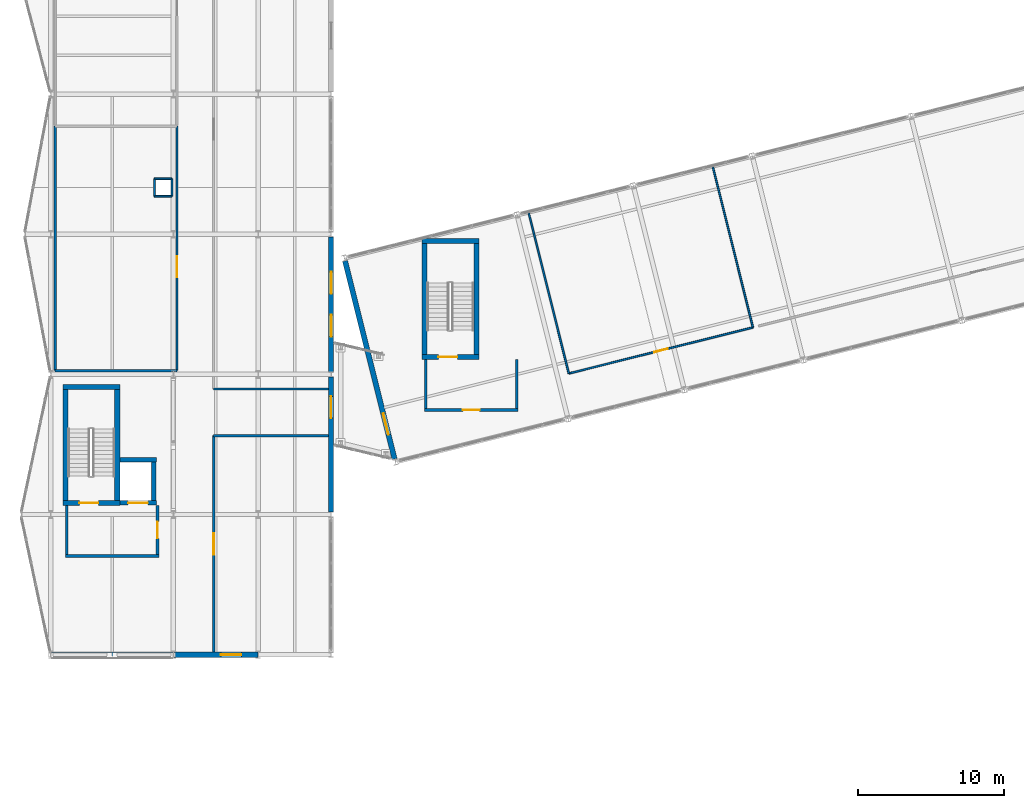
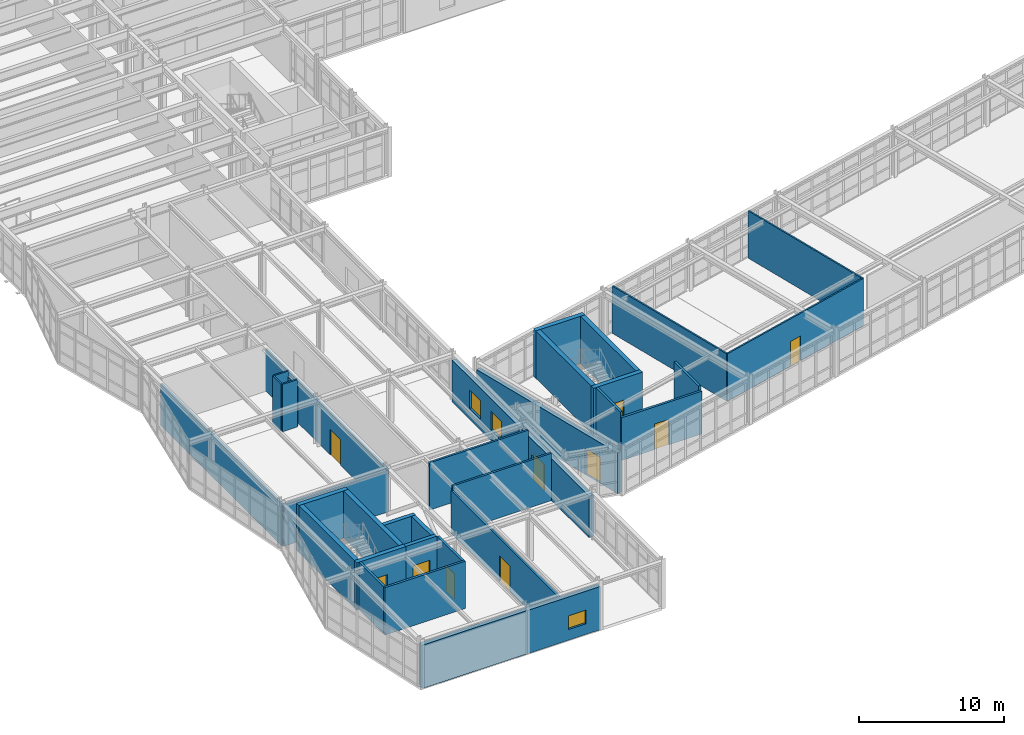
# One storey, part 62 of 76: 35 walls, 10 doors, 3 windows, 13 openings.
"""IFC4 building model written with IfcOpenShell, lengths in metres."""

from ifc_helpers import new_model, si_unit, direction, frame, frame_2d, origin, place, context, subcontext, project, spatial, rectangle, extrude, material, layer, layer_set, type_object, element, fill, save


model = new_model("IFC4")

# Units and contexts
model_context = context("Model", 3, precision=1e-05, world=origin(), true_north=direction((0.0, 1.0)))
body_context = subcontext(model_context, "Body", "Model", "MODEL_VIEW")
ifc_project = project(units=[si_unit("LENGTHUNIT", "METRE"), si_unit("AREAUNIT", "SQUARE_METRE"), si_unit("VOLUMEUNIT", "CUBIC_METRE"), si_unit("PLANEANGLEUNIT", "RADIAN"), si_unit("MASSUNIT", "GRAM", prefix="KILO")], contexts=[model_context])

# Site, building, storey
site_placement = place(None, origin())
site = spatial("IfcSite", under=ifc_project, at=site_placement, CompositionType="ELEMENT")
building_placement = place(site_placement, origin())
building = spatial("IfcBuilding", under=site, at=building_placement, Name="Nordkorset Police Headquarters", CompositionType="ELEMENT")
storey_placement = place(building_placement, frame((0.0, 0.0, 13.64990234375)))
storey = spatial("IfcBuildingStorey", under=building, at=storey_placement, Name="L03", CompositionType="ELEMENT", Elevation=13.64990234375)

# Walls
ifc_material_1 = material(Name="Gypsum board", Category="gypsum")
ifc_layer_1 = layer(ifc_material_1, 0.179931640625, Name="Gypsum board")
ifc_layer_set_1 = layer_set([ifc_layer_1], Name="Gypsum board")
wall_type_1 = type_object("IfcWallType", Name="Wall_Comp_180", PredefinedType="PARTITIONING", material=ifc_layer_set_1)
wall_1_placement = place(storey_placement, frame((1.0, 35.56005859375, 0.0), z_axis=(0.0, 0.0, 1.0), x_axis=(1.0, 0.0, 0.0)))
element("IfcWall", 1, at=wall_1_placement, inside=storey, type_object=wall_type_1, Name="Firefighting Lobby EI 60 Wall K4 L03 S", PredefinedType="PARTITIONING", context=body_context, shape_type="SweptSolid", body=[
    extrude(rectangle(XDim=6.39990234375, YDim=0.179931640625, at=frame_2d((3.199951171875, 0.0))), origin(), (0.0, 0.0, 1.0), 3.97998046875),
])
wall_2_placement = place(storey_placement, frame((1.090087890625, 35.64990234375, 0.0), z_axis=(0.0, 0.0, 1.0), x_axis=(0.0, 1.0, 0.0)))
element("IfcWall", 2, at=wall_2_placement, inside=storey, type_object=wall_type_1, Name="Firefighting Lobby EI 60 Wall K4 L03 W", PredefinedType="PARTITIONING", context=body_context, shape_type="SweptSolid", body=[
    extrude(rectangle(XDim=3.375, YDim=0.179931640625, at=frame_2d((1.6875, 0.0))), origin(), (0.0, 0.0, 1.0), 3.97998046875),
])

# Wall, opening, door
wall_3_placement = place(storey_placement, frame((7.31005859375, 35.64990234375, 0.0), z_axis=(0.0, 0.0, 1.0), x_axis=(0.0, 1.0, 0.0)))
wall_3 = element("IfcWall", 3, at=wall_3_placement, inside=storey, type_object=wall_type_1, Name="Firefighting Lobby EI 60 Wall K4 L03 E", PredefinedType="PARTITIONING", context=body_context, shape_type="SweptSolid", body=[
    extrude(rectangle(XDim=3.375, YDim=0.179931640625, at=frame_2d((1.6875, 0.0))), origin(), (0.0, 0.0, 1.0), 3.97998046875),
])
opening_1_placement = place(wall_3_placement, frame((1.112548828125, 0.0, 0.0)))
opening_1 = element("IfcOpeningElement", 4, at=opening_1_placement, cuts=wall_3, Name="Opening DR-01", PredefinedType="OPENING", context=body_context, shape_type="SweptSolid", body=[
    extrude(rectangle(XDim=1.14990234375, YDim=2.14990234375, at=frame_2d((0.574951171875, 1.074951171875))), frame((0.0, 0.10009765625, 0.0), z_axis=(0.0, -1.0, 0.0), x_axis=(1.0, 0.0, 0.0)), (0.0, 0.0, 1.0), 0.199951171875),
])
ifc_material_2 = material(Name="Steel S355J2", Category="steel")
door_type_1 = type_object("IfcDoorType", Name="Door_LobbySingle_1150x2150", OperationType="NOTDEFINED", PredefinedType="DOOR", material=ifc_material_2)
door_1_placement = place(opening_1_placement, origin())
door_1 = element("IfcDoor", 5, at=door_1_placement, inside=storey, type_object=door_type_1, Name="Firefighting Lobby Smoke Door K4 L03 E", OperationType="SINGLE_SWING_LEFT", OverallHeight=2.14990234375, OverallWidth=1.14990234375, PredefinedType="DOOR", context=body_context, shape_type="SweptSolid", body=[
    extrude(rectangle(XDim=1.14990234375, YDim=2.14990234375, at=frame_2d((0.574951171875, 1.074951171875))), frame((0.0, 0.02490234375, 0.0), z_axis=(0.0, -1.0, 0.0), x_axis=(1.0, 0.0, 0.0)), (0.0, 0.0, 1.0), 0.050048828125),
])
fill(opening_1, door_1)

wall_4_placement = place(storey_placement, frame((25.60009765625, 45.56005859375, 0.0), z_axis=(0.0, 0.0, 1.0), x_axis=(1.0, 0.0, 0.0)))
wall_4 = element("IfcWall", 6, at=wall_4_placement, inside=storey, type_object=wall_type_1, Name="Firefighting Lobby EI 60 Wall K7 L03 S", PredefinedType="PARTITIONING", context=body_context, shape_type="SweptSolid", body=[
    extrude(rectangle(XDim=6.39990234375, YDim=0.179931640625, at=frame_2d((3.199951171875, 0.0))), origin(), (0.0, 0.0, 1.0), 3.60009765625),
])
opening_2_placement = place(wall_4_placement, frame((2.625, 0.0, 0.0)))
opening_2 = element("IfcOpeningElement", 7, at=opening_2_placement, cuts=wall_4, Name="Opening DR-01", PredefinedType="OPENING", context=body_context, shape_type="SweptSolid", body=[
    extrude(rectangle(XDim=1.14990234375, YDim=2.14990234375, at=frame_2d((0.574951171875, 1.074951171875))), frame((0.0, 0.10009765625, 0.0), z_axis=(0.0, -1.0, 0.0), x_axis=(1.0, 0.0, 0.0)), (0.0, 0.0, 1.0), 0.199951171875),
])
door_2_placement = place(opening_2_placement, frame((1.14990234375, 0.0, 0.0), z_axis=(0.0, 0.0, 1.0), x_axis=(-1.0, 0.0, 0.0)))
door_2 = element("IfcDoor", 8, at=door_2_placement, inside=storey, type_object=door_type_1, Name="Firefighting Lobby Smoke Door K7 L03 S", OperationType="SINGLE_SWING_RIGHT", OverallHeight=2.14990234375, OverallWidth=1.14990234375, PredefinedType="DOOR", context=body_context, shape_type="SweptSolid", body=[
    extrude(rectangle(XDim=1.14990234375, YDim=2.14990234375, at=frame_2d((0.574951171875, 1.074951171875))), frame((0.0, 0.02490234375, 0.0), z_axis=(0.0, -1.0, 0.0), x_axis=(1.0, 0.0, 0.0)), (0.0, 0.0, 1.0), 0.050048828125),
])
fill(opening_2, door_2)

# Walls
for number, where, z_axis, x_axis, name in (
    (9, (25.68994140625, 45.64990234375, 0.0), (0.0, 0.0, 1.0), (0.0, 1.0, 0.0), "Firefighting Lobby EI 60 Wall K7 L03 W"),
    (10, (31.909912109375, 45.64990234375, 0.0), (0.0, 0.0, 1.0), (0.0, 1.0, 0.0), "Firefighting Lobby EI 60 Wall K7 L03 E"),
):
    element("IfcWall", number, at=place(storey_placement, frame(where, z_axis=z_axis, x_axis=x_axis)), inside=storey, type_object=wall_type_1, Name=name, PredefinedType="PARTITIONING", context=body_context, shape_type="SweptSolid", body=[
        extrude(rectangle(XDim=3.375, YDim=0.179931640625, at=frame_2d((1.6875, 0.0))), origin(), (0.0, 0.0, 1.0), 3.97998046875),
    ])

# Wall, opening, door
ifc_material_3 = material(Name="Concrete C35/45", Category="concrete")
ifc_layer_2 = layer(ifc_material_3, 0.35009765625, Name="Concrete C35/45")
ifc_layer_set_2 = layer_set([ifc_layer_2], Name="Concrete C35/45")
wall_type_2 = type_object("IfcWallType", Name="Wall_CoreShear_350", PredefinedType="SHEAR", material=ifc_layer_set_2)
wall_5_placement = place(storey_placement, frame((0.824951171875, 39.199951171875, 0.0), z_axis=(0.0, 0.0, 1.0), x_axis=(1.0, 0.0, 0.0)))
wall_5 = element("IfcWall", 11, at=wall_5_placement, inside=storey, type_object=wall_type_2, Name="Core K4 Stair Shaft South Shear Wall L03", PredefinedType="SHEAR", context=body_context, shape_type="SweptSolid", body=[
    extrude(rectangle(XDim=3.900146484375, YDim=0.35009765625, at=frame_2d((1.9501953125, 0.0))), origin(), (0.0, 0.0, 1.0), 3.97998046875),
])
opening_3_placement = place(wall_5_placement, frame((1.125, 0.0, 0.0)))
opening_3 = element("IfcOpeningElement", 12, at=opening_3_placement, cuts=wall_5, Name="Opening DR-20", PredefinedType="OPENING", context=body_context, shape_type="SweptSolid", body=[
    extrude(rectangle(XDim=1.300048828125, YDim=2.14990234375, at=frame_2d((0.64990234375, 1.074951171875))), frame((0.0, 0.18505859375, 0.0), z_axis=(0.0, -1.0, 0.0), x_axis=(1.0, 0.0, 0.0)), (0.0, 0.0, 1.0), 0.3701171875),
])
ifc_material_4 = material(Name="Steel S355J2", Category="steel")
door_type_2 = type_object("IfcDoorType", Name="Door_Stair_1300x2150", OperationType="NOTDEFINED", PredefinedType="DOOR", material=ifc_material_4)
door_3_placement = place(opening_3_placement, frame((1.300048828125, 0.0, 0.0), z_axis=(0.0, 0.0, 1.0), x_axis=(-1.0, 0.0, 0.0)))
door_3 = element("IfcDoor", 13, at=door_3_placement, inside=storey, type_object=door_type_2, Name="Protected Stair Fire Door ST-04 L03", OperationType="SINGLE_SWING_RIGHT", OverallHeight=2.14990234375, OverallWidth=1.300048828125, PredefinedType="DOOR", context=body_context, shape_type="SweptSolid", body=[
    extrude(rectangle(XDim=1.300048828125, YDim=2.14990234375, at=frame_2d((0.64990234375, 1.074951171875))), frame((0.0, 0.02490234375, 0.0), z_axis=(0.0, -1.0, 0.0), x_axis=(1.0, 0.0, 0.0)), (0.0, 0.0, 1.0), 0.050048828125),
])
fill(opening_3, door_3)

# Walls
wall_6_placement = place(storey_placement, frame((0.824951171875, 47.14990234375, 0.0), z_axis=(0.0, 0.0, 1.0), x_axis=(1.0, 0.0, 0.0)))
element("IfcWall", 14, at=wall_6_placement, inside=storey, type_object=wall_type_2, Name="Core K4 Stair Shaft North Shear Wall L03", PredefinedType="SHEAR", context=body_context, shape_type="SweptSolid", body=[
    extrude(rectangle(XDim=3.900146484375, YDim=0.35009765625, at=frame_2d((1.9501953125, 0.0))), origin(), (0.0, 0.0, 1.0), 3.97998046875),
])
for number, where, z_axis, x_axis, name in (
    (15, (1.0, 39.375, 0.0), (0.0, 0.0, 1.0), (0.0, 1.0, 0.0), "Core K4 Stair Shaft West Shear Wall L03"),
    (16, (4.550048828125, 39.375, 0.0), (0.0, 0.0, 1.0), (0.0, 1.0, 0.0), "Core K4 Stair Shaft East Shear Wall L03"),
):
    element("IfcWall", number, at=place(storey_placement, frame(where, z_axis=z_axis, x_axis=x_axis)), inside=storey, type_object=wall_type_2, Name=name, PredefinedType="SHEAR", context=body_context, shape_type="SweptSolid", body=[
        extrude(rectangle(XDim=7.60009765625, YDim=0.35009765625, at=frame_2d((3.800048828125, 0.0))), origin(), (0.0, 0.0, 1.0), 3.97998046875),
    ])

# Wall, opening, door
wall_7_placement = place(storey_placement, frame((25.425048828125, 49.199951171875, 0.0), z_axis=(0.0, 0.0, 1.0), x_axis=(1.0, 0.0, 0.0)))
wall_7 = element("IfcWall", 17, at=wall_7_placement, inside=storey, type_object=wall_type_2, Name="Core K7 Stair Shaft South Shear Wall L03", PredefinedType="SHEAR", context=body_context, shape_type="SweptSolid", body=[
    extrude(rectangle(XDim=3.89990234375, YDim=0.35009765625, at=frame_2d((1.949951171875, 0.0))), origin(), (0.0, 0.0, 1.0), 3.97998046875),
])
opening_4_placement = place(wall_7_placement, frame((1.125, 0.0, 0.0)))
opening_4 = element("IfcOpeningElement", 18, at=opening_4_placement, cuts=wall_7, Name="Opening DR-20", PredefinedType="OPENING", context=body_context, shape_type="SweptSolid", body=[
    extrude(rectangle(XDim=1.300048828125, YDim=2.14990234375, at=frame_2d((0.64990234375, 1.074951171875))), frame((0.0, 0.18505859375, 0.0), z_axis=(0.0, -1.0, 0.0), x_axis=(1.0, 0.0, 0.0)), (0.0, 0.0, 1.0), 0.3701171875),
])
door_4_placement = place(opening_4_placement, frame((1.300048828125, 0.0, 0.0), z_axis=(0.0, 0.0, 1.0), x_axis=(-1.0, 0.0, 0.0)))
door_4 = element("IfcDoor", 19, at=door_4_placement, inside=storey, type_object=door_type_2, Name="Protected Stair Fire Door ST-08 L03", OperationType="SINGLE_SWING_LEFT", OverallHeight=2.14990234375, OverallWidth=1.300048828125, PredefinedType="DOOR", context=body_context, shape_type="SweptSolid", body=[
    extrude(rectangle(XDim=1.300048828125, YDim=2.14990234375, at=frame_2d((0.64990234375, 1.074951171875))), frame((0.0, 0.02490234375, 0.0), z_axis=(0.0, -1.0, 0.0), x_axis=(1.0, 0.0, 0.0)), (0.0, 0.0, 1.0), 0.050048828125),
])
fill(opening_4, door_4)

# Walls
wall_8_placement = place(storey_placement, frame((25.425048828125, 57.14990234375, 0.0), z_axis=(0.0, 0.0, 1.0), x_axis=(1.0, 0.0, 0.0)))
element("IfcWall", 20, at=wall_8_placement, inside=storey, type_object=wall_type_2, Name="Core K7 Stair Shaft North Shear Wall L03", PredefinedType="SHEAR", context=body_context, shape_type="SweptSolid", body=[
    extrude(rectangle(XDim=3.89990234375, YDim=0.35009765625, at=frame_2d((1.949951171875, 0.0))), origin(), (0.0, 0.0, 1.0), 3.97998046875),
])
for number, where, z_axis, x_axis, name in (
    (21, (25.60009765625, 49.375, 0.0), (0.0, 0.0, 1.0), (0.0, 1.0, 0.0), "Core K7 Stair Shaft West Shear Wall L03"),
    (22, (29.14990234375, 49.375, 0.0), (0.0, 0.0, 1.0), (0.0, 1.0, 0.0), "Core K7 Stair Shaft East Shear Wall L03"),
):
    element("IfcWall", number, at=place(storey_placement, frame(where, z_axis=z_axis, x_axis=x_axis)), inside=storey, type_object=wall_type_2, Name=name, PredefinedType="SHEAR", context=body_context, shape_type="SweptSolid", body=[
        extrude(rectangle(XDim=7.60009765625, YDim=0.35009765625, at=frame_2d((3.800048828125, 0.0))), origin(), (0.0, 0.0, 1.0), 3.97998046875),
    ])

# Wall, opening, door
ifc_material_5 = material(Name="Precast concrete C40/50", Category="concrete")
ifc_layer_3 = layer(ifc_material_5, 0.360107421875, Name="Precast concrete C40/50")
ifc_layer_set_3 = layer_set([ifc_layer_3], Name="Precast concrete C40/50")
wall_type_3 = type_object("IfcWallType", Name="Wall_ExtPrecast_360", PredefinedType="SOLIDWALL", material=ifc_layer_set_3)
wall_9_placement = place(storey_placement, frame((19.199951171875, 38.572021484375, 0.0), z_axis=(0.0, 0.0, 1.0), x_axis=(0.0, 1.0, 0.0)))
wall_9 = element("IfcWall", 23, at=wall_9_placement, inside=storey, type_object=wall_type_3, Name="Exterior Insulated Precast Wall L03 V3E-1", PredefinedType="SOLIDWALL", context=body_context, shape_type="SweptSolid", body=[
    extrude(rectangle(XDim=9.255859375, YDim=0.360107421875, at=frame_2d((4.6279296875, 0.0))), origin(), (0.0, 0.0, 1.0), 3.505126953125),
])
opening_5_placement = place(wall_9_placement, frame((6.427978515625, 0.0, 0.0)))
opening_5 = element("IfcOpeningElement", 24, at=opening_5_placement, cuts=wall_9, Name="Opening EXD-03", PredefinedType="OPENING", context=body_context, shape_type="SweptSolid", body=[
    extrude(rectangle(XDim=1.5, YDim=2.199951171875, at=frame_2d((0.75, 1.10009765625))), frame((0.0, 0.18994140625, 0.0), z_axis=(0.0, -1.0, 0.0), x_axis=(1.0, 0.0, 0.0)), (0.0, 0.0, 1.0), 0.380126953125),
])
ifc_material_6 = material(Name="Aluminium alloy AW-6060", Category="aluminium")
door_type_3 = type_object("IfcDoorType", Name="ExtDoor_BridgePortal_1500x2200", OperationType="DOUBLE_DOOR_SINGLE_SWING", PredefinedType="DOOR", material=ifc_material_6)
door_5_placement = place(opening_5_placement, frame((1.5, 0.0, 0.0), z_axis=(0.0, 0.0, 1.0), x_axis=(-1.0, 0.0, 0.0)))
door_5 = element("IfcDoor", 25, at=door_5_placement, inside=storey, type_object=door_type_3, Name="West Link Bridge Portal Door V3 L03", OperationType="SINGLE_SWING_LEFT", OverallHeight=2.199951171875, OverallWidth=1.5, PredefinedType="DOOR", context=body_context, shape_type="SweptSolid", body=[
    extrude(rectangle(XDim=1.5, YDim=2.199951171875, at=frame_2d((0.75, 1.10009765625))), frame((0.0, 0.02490234375, 0.0), z_axis=(0.0, -1.0, 0.0), x_axis=(1.0, 0.0, 0.0)), (0.0, 0.0, 1.0), 0.050048828125),
])
fill(opening_5, door_5)

# Wall, openings, windows
wall_10_placement = place(storey_placement, frame((19.199951171875, 48.172119140625, 0.0), z_axis=(0.0, 0.0, 1.0), x_axis=(0.0, 1.0, 0.0)))
wall_10 = element("IfcWall", 26, at=wall_10_placement, inside=storey, type_object=wall_type_3, Name="Exterior Insulated Precast Wall L03 V3E-2", PredefinedType="SOLIDWALL", context=body_context, shape_type="SweptSolid", body=[
    extrude(rectangle(XDim=9.255859375, YDim=0.360107421875, at=frame_2d((4.6279296875, 0.0))), origin(), (0.0, 0.0, 1.0), 3.505126953125),
])
opening_6_placement = place(wall_10_placement, frame((2.411376953125, 0.0, 0.89990234375)))
opening_6 = element("IfcOpeningElement", 27, at=opening_6_placement, cuts=wall_10, Name="Opening WN-50", PredefinedType="OPENING", context=body_context, shape_type="SweptSolid", body=[
    extrude(rectangle(XDim=1.5, YDim=1.550048828125, at=frame_2d((0.75, 0.77490234375))), frame((0.0, 0.18994140625, 0.0), z_axis=(0.0, -1.0, 0.0), x_axis=(1.0, 0.0, 0.0)), (0.0, 0.0, 1.0), 0.380126953125),
])
opening_7_placement = place(wall_10_placement, frame((5.3447265625, 0.0, 0.89990234375)))
opening_7 = element("IfcOpeningElement", 28, at=opening_7_placement, cuts=wall_10, Name="Opening WN-50", PredefinedType="OPENING", context=body_context, shape_type="SweptSolid", body=[
    extrude(rectangle(XDim=1.5, YDim=1.550048828125, at=frame_2d((0.75, 0.77490234375))), frame((0.0, 0.18994140625, 0.0), z_axis=(0.0, -1.0, 0.0), x_axis=(1.0, 0.0, 0.0)), (0.0, 0.0, 1.0), 0.380126953125),
])
ifc_material_7 = material(Name="Low-iron triple glazing", Category="glass")
window_type_1 = type_object("IfcWindowType", Name="Win_1500x1550", PartitioningType="SINGLE_PANEL", PredefinedType="WINDOW", material=ifc_material_7)
window_1_placement = place(opening_6_placement, origin())
window_1 = element("IfcWindow", 29, at=window_1_placement, inside=storey, type_object=window_type_1, Name="Triple-Glazed Exterior Window L03 V3E-2-1", OverallHeight=1.550048828125, OverallWidth=1.5, PartitioningType="SINGLE_PANEL", PredefinedType="WINDOW", context=body_context, shape_type="SweptSolid", body=[
    extrude(rectangle(XDim=1.5, YDim=1.550048828125, at=frame_2d((0.75, 0.77490234375))), frame((0.0, 0.030029296875, 0.0), z_axis=(0.0, -1.0, 0.0), x_axis=(1.0, 0.0, 0.0)), (0.0, 0.0, 1.0), 0.06005859375),
])
fill(opening_6, window_1)
window_2_placement = place(opening_7_placement, origin())
window_2 = element("IfcWindow", 30, at=window_2_placement, inside=storey, type_object=window_type_1, Name="Triple-Glazed Exterior Window L03 V3E-2-2", OverallHeight=1.550048828125, OverallWidth=1.5, PartitioningType="SINGLE_PANEL", PredefinedType="WINDOW", context=body_context, shape_type="SweptSolid", body=[
    extrude(rectangle(XDim=1.5, YDim=1.550048828125, at=frame_2d((0.75, 0.77490234375))), frame((0.0, 0.030029296875, 0.0), z_axis=(0.0, -1.0, 0.0), x_axis=(1.0, 0.0, 0.0)), (0.0, 0.0, 1.0), 0.06005859375),
])
fill(opening_7, window_2)

# Wall
wall_11_placement = place(storey_placement, frame((0.00927734375, 28.800048828125, 0.0), z_axis=(0.0, 0.0, 1.0), x_axis=(1.0, 0.0, 0.0)))
element("IfcWall", 31, at=wall_11_placement, inside=storey, type_object=wall_type_3, Name="Exterior Insulated Precast Wall L03 V3S-0A", PredefinedType="SOLIDWALL", context=body_context, shape_type="SweptSolid", body=[
    extrude(rectangle(XDim=8.381591796875, YDim=0.360107421875, at=frame_2d((4.19091796875, 0.0))), origin(), (0.0, 0.0, 1.0), 3.650146484375),
])

# Wall, opening, window
wall_12_placement = place(storey_placement, frame((8.4091796875, 28.800048828125, 0.0), z_axis=(0.0, 0.0, 1.0), x_axis=(1.0, 0.0, 0.0)))
wall_12 = element("IfcWall", 32, at=wall_12_placement, inside=storey, type_object=wall_type_3, Name="Exterior Insulated Precast Wall L03 V3S-0B", PredefinedType="SOLIDWALL", context=body_context, shape_type="SweptSolid", body=[
    extrude(rectangle(XDim=5.781494140625, YDim=0.360107421875, at=frame_2d((2.890625, 0.0))), origin(), (0.0, 0.0, 1.0), 3.635009765625),
])
opening_8_placement = place(wall_12_placement, frame((3.24072265625, 0.0, 0.89990234375)))
opening_8 = element("IfcOpeningElement", 33, at=opening_8_placement, cuts=wall_12, Name="Opening WN-16", PredefinedType="OPENING", context=body_context, shape_type="SweptSolid", body=[
    extrude(rectangle(XDim=1.39990234375, YDim=1.14990234375, at=frame_2d((0.699951171875, 0.574951171875))), frame((0.0, 0.18994140625, 0.0), z_axis=(0.0, -1.0, 0.0), x_axis=(1.0, 0.0, 0.0)), (0.0, 0.0, 1.0), 0.380126953125),
])
ifc_material_8 = material(Name="Low-iron triple glazing", Category="glass")
window_type_2 = type_object("IfcWindowType", Name="Win_1400x1150", PartitioningType="SINGLE_PANEL", PredefinedType="WINDOW", material=ifc_material_8)
window_3_placement = place(opening_8_placement, origin())
window_3 = element("IfcWindow", 34, at=window_3_placement, inside=storey, type_object=window_type_2, Name="Triple-Glazed Exterior Window L03 V3S-0B-1", OverallHeight=1.14990234375, OverallWidth=1.39990234375, PartitioningType="SINGLE_PANEL", PredefinedType="WINDOW", context=body_context, shape_type="SweptSolid", body=[
    extrude(rectangle(XDim=1.39990234375, YDim=1.14990234375, at=frame_2d((0.699951171875, 0.574951171875))), frame((0.0, 0.030029296875, 0.0), z_axis=(0.0, -1.0, 0.0), x_axis=(1.0, 0.0, 0.0)), (0.0, 0.0, 1.0), 0.06005859375),
])
fill(opening_8, window_3)

# Wall, opening, door
wall_13_placement = place(storey_placement, frame((23.551025390625, 42.196044921875, 0.0), z_axis=(0.0, 0.0, 1.0), x_axis=(-0.242535625036, 0.970142500145, 0.0)))
wall_13 = element("IfcWall", 35, at=wall_13_placement, inside=storey, type_object=wall_type_3, Name="Exterior Insulated Precast Wall L03 V4W-0", PredefinedType="SOLIDWALL", context=body_context, shape_type="SweptSolid", body=[
    extrude(rectangle(XDim=13.99609375, YDim=0.360107421875, at=frame_2d((6.998046875, 0.0))), origin(), (0.0, 0.0, 1.0), 3.405029296875),
])
opening_9_placement = place(wall_13_placement, frame((1.718017578125, 0.0, 0.0)))
opening_9 = element("IfcOpeningElement", 36, at=opening_9_placement, cuts=wall_13, Name="Opening EXD-03", PredefinedType="OPENING", context=body_context, shape_type="SweptSolid", body=[
    extrude(rectangle(XDim=1.5, YDim=2.199951171875, at=frame_2d((0.75, 1.10009765625))), frame((0.0, 0.18994140625, 0.0), z_axis=(0.0, -1.0, 0.0), x_axis=(1.0, 0.0, 0.0)), (0.0, 0.0, 1.0), 0.380126953125),
])
door_6_placement = place(opening_9_placement, origin())
door_6 = element("IfcDoor", 37, at=door_6_placement, inside=storey, type_object=door_type_3, Name="West Link Bridge Portal Door V4 L03", OperationType="SINGLE_SWING_LEFT", OverallHeight=2.199951171875, OverallWidth=1.5, PredefinedType="DOOR", context=body_context, shape_type="SweptSolid", body=[
    extrude(rectangle(XDim=1.5, YDim=2.199951171875, at=frame_2d((0.75, 1.10009765625))), frame((0.0, 0.02490234375, 0.0), z_axis=(0.0, -1.0, 0.0), x_axis=(1.0, 0.0, 0.0)), (0.0, 0.0, 1.0), 0.050048828125),
])
fill(opening_9, door_6)

# Wall
ifc_material_9 = material(Name="Gypsum board", Category="gypsum")
ifc_layer_4 = layer(ifc_material_9, 0.159912109375, Name="Gypsum board")
ifc_layer_set_4 = layer_set([ifc_layer_4], Name="Gypsum board")
wall_type_4 = type_object("IfcWallType", Name="Wall_Lab_160", PredefinedType="PARTITIONING", material=ifc_layer_set_4)
wall_14_placement = place(storey_placement, frame((0.300048828125, 48.25, 0.0), z_axis=(0.0, 0.0, 1.0), x_axis=(1.0, 0.0, 0.0)))
element("IfcWall", 38, at=wall_14_placement, inside=storey, type_object=wall_type_4, Name="Interior Partition Wall Digital Forensics Laboratory", PredefinedType="PARTITIONING", context=body_context, shape_type="SweptSolid", body=[
    extrude(rectangle(XDim=8.33984375, YDim=0.159912109375, at=frame_2d((4.169921875, 0.0))), origin(), (0.0, 0.0, 1.0), 3.52001953125),
])

# Wall, opening, door
wall_15_placement = place(storey_placement, frame((8.639892578125, 48.25, 0.0), z_axis=(0.0, 0.0, 1.0), x_axis=(0.0, 1.0, 0.0)))
wall_15 = element("IfcWall", 39, at=wall_15_placement, inside=storey, type_object=wall_type_4, Name="Interior Partition Wall Digital Forensics Laboratory", PredefinedType="PARTITIONING", context=body_context, shape_type="SweptSolid", body=[
    extrude(rectangle(XDim=16.75, YDim=0.159912109375, at=frame_2d((8.375, 0.0))), origin(), (0.0, 0.0, 1.0), 3.52001953125),
])
opening_10_placement = place(wall_15_placement, frame((6.39990234375, 0.0, 0.0)))
opening_10 = element("IfcOpeningElement", 40, at=opening_10_placement, cuts=wall_15, Name="Opening DR-12", PredefinedType="OPENING", context=body_context, shape_type="SweptSolid", body=[
    extrude(rectangle(XDim=1.449951171875, YDim=2.14990234375, at=frame_2d((0.72509765625, 1.074951171875))), frame((0.0, 0.08984375, 0.0), z_axis=(0.0, -1.0, 0.0), x_axis=(1.0, 0.0, 0.0)), (0.0, 0.0, 1.0), 0.179931640625),
])
ifc_material_10 = material(Name="Aluminium alloy AW-6060", Category="aluminium")
door_type_4 = type_object("IfcDoorType", Name="Door_LabClean_1450x2150", OperationType="DOUBLE_DOOR_SINGLE_SWING", PredefinedType="DOOR", material=ifc_material_10)
door_7_placement = place(opening_10_placement, origin())
door_7 = element("IfcDoor", 41, at=door_7_placement, inside=storey, type_object=door_type_4, Name="Interior Door Digital Forensics Laboratory", OperationType="DOUBLE_DOOR_SINGLE_SWING", OverallHeight=2.14990234375, OverallWidth=1.449951171875, PredefinedType="DOOR", context=body_context, shape_type="SweptSolid", body=[
    extrude(rectangle(XDim=1.449951171875, YDim=2.14990234375, at=frame_2d((0.72509765625, 1.074951171875))), frame((0.0, 0.02490234375, 0.0), z_axis=(0.0, -1.0, 0.0), x_axis=(1.0, 0.0, 0.0)), (0.0, 0.0, 1.0), 0.050048828125),
])
fill(opening_10, door_7)

# Walls
wall_16_placement = place(storey_placement, frame((0.300048828125, 65.0, 0.0), z_axis=(0.0, 0.0, 1.0), x_axis=(0.0, -1.0, 0.0)))
element("IfcWall", 42, at=wall_16_placement, inside=storey, type_object=wall_type_4, Name="Interior Partition Wall Digital Forensics Laboratory", PredefinedType="PARTITIONING", context=body_context, shape_type="SweptSolid", body=[
    extrude(rectangle(XDim=16.75, YDim=0.159912109375, at=frame_2d((8.375, 0.0))), origin(), (0.0, 0.0, 1.0), 3.52001953125),
])
wall_17_placement = place(storey_placement, frame((19.02490234375, 43.800048828125, 0.0), z_axis=(0.0, 0.0, 1.0), x_axis=(-1.0, 0.0, 0.0)))
element("IfcWall", 43, at=wall_17_placement, inside=storey, type_object=wall_type_4, Name="Interior Partition Wall Network Packet Forensics Lab", PredefinedType="PARTITIONING", context=body_context, shape_type="SweptSolid", body=[
    extrude(rectangle(XDim=7.864990234375, YDim=0.159912109375, at=frame_2d((3.9326171875, 0.0))), origin(), (0.0, 0.0, 1.0), 3.97998046875),
])

# Wall, opening, door
wall_18_placement = place(storey_placement, frame((11.159912109375, 43.800048828125, 0.0), z_axis=(0.0, 0.0, 1.0), x_axis=(0.0, -1.0, 0.0)))
wall_18 = element("IfcWall", 44, at=wall_18_placement, inside=storey, type_object=wall_type_4, Name="Interior Partition Wall Network Packet Forensics Lab", PredefinedType="PARTITIONING", context=body_context, shape_type="SweptSolid", body=[
    extrude(rectangle(XDim=14.824951171875, YDim=0.159912109375, at=frame_2d((7.41259765625, 0.0))), origin(), (0.0, 0.0, 1.0), 3.60009765625),
])
opening_11_placement = place(wall_18_placement, frame((6.6875, 0.0, 0.0)))
opening_11 = element("IfcOpeningElement", 45, at=opening_11_placement, cuts=wall_18, Name="Opening DR-12", PredefinedType="OPENING", context=body_context, shape_type="SweptSolid", body=[
    extrude(rectangle(XDim=1.449951171875, YDim=2.14990234375, at=frame_2d((0.72509765625, 1.074951171875))), frame((0.0, 0.08984375, 0.0), z_axis=(0.0, -1.0, 0.0), x_axis=(1.0, 0.0, 0.0)), (0.0, 0.0, 1.0), 0.179931640625),
])
door_8_placement = place(opening_11_placement, origin())
door_8 = element("IfcDoor", 46, at=door_8_placement, inside=storey, type_object=door_type_4, Name="Interior Door Network Packet Forensics Lab", OperationType="DOUBLE_DOOR_SINGLE_SWING", OverallHeight=2.14990234375, OverallWidth=1.449951171875, PredefinedType="DOOR", context=body_context, shape_type="SweptSolid", body=[
    extrude(rectangle(XDim=1.449951171875, YDim=2.14990234375, at=frame_2d((0.72509765625, 1.074951171875))), frame((0.0, 0.02490234375, 0.0), z_axis=(0.0, -1.0, 0.0), x_axis=(1.0, 0.0, 0.0)), (0.0, 0.0, 1.0), 0.050048828125),
])
fill(opening_11, door_8)

# Wall
wall_19_placement = place(storey_placement, frame((11.159912109375, 47.0, 0.0), z_axis=(0.0, 0.0, 1.0), x_axis=(1.0, 0.0, 0.0)))
element("IfcWall", 47, at=wall_19_placement, inside=storey, type_object=wall_type_4, Name="Interior Partition Wall RF-Shielded Mobile Device Triage Lab", PredefinedType="PARTITIONING", context=body_context, shape_type="SweptSolid", body=[
    extrude(rectangle(XDim=7.864990234375, YDim=0.159912109375, at=frame_2d((3.9326171875, 0.0))), origin(), (0.0, 0.0, 1.0), 3.97998046875),
])

# Wall, opening, door
ifc_material_11 = material(Name="Gypsum board", Category="gypsum")
ifc_layer_5 = layer(ifc_material_11, 0.1201171875, Name="Gypsum board")
ifc_layer_set_5 = layer_set([ifc_layer_5], Name="Gypsum board")
wall_type_5 = type_object("IfcWallType", Name="Wall_Part_120", PredefinedType="PARTITIONING", material=ifc_layer_set_5)
wall_20_placement = place(storey_placement, frame((35.484130859375, 48.0634765625, 0.0), z_axis=(0.0, 0.0, 1.0), x_axis=(0.970145814138, 0.242522368683, 0.0)))
wall_20 = element("IfcWall", 48, at=wall_20_placement, inside=storey, type_object=wall_type_5, Name="Interior Partition Wall Night-Shift Quiet Recovery Suite", PredefinedType="PARTITIONING", context=body_context, shape_type="SweptSolid", body=[
    extrude(rectangle(XDim=13.000244140625, YDim=0.1201171875, at=frame_2d((6.5, 0.0))), origin(), (0.0, 0.0, 1.0), 3.97998046875),
])
opening_12_placement = place(wall_20_placement, frame((6.02001953125, 0.0, 0.0)))
opening_12 = element("IfcOpeningElement", 49, at=opening_12_placement, cuts=wall_20, Name="Opening DR-08", PredefinedType="OPENING", context=body_context, shape_type="SweptSolid", body=[
    extrude(rectangle(XDim=0.9599609375, YDim=2.080078125, at=frame_2d((0.47998046875, 1.0400390625))), frame((0.0, 0.070068359375, 0.0), z_axis=(0.0, -1.0, 0.0), x_axis=(1.0, 0.0, 0.0)), (0.0, 0.0, 1.0), 0.14013671875),
])
ifc_material_12 = material(Name="Glulam GL30c", Category="wood")
door_type_5 = type_object("IfcDoorType", Name="Door_Welfare_960x2080", OperationType="NOTDEFINED", PredefinedType="DOOR", material=ifc_material_12)
door_9_placement = place(opening_12_placement, origin())
door_9 = element("IfcDoor", 50, at=door_9_placement, inside=storey, type_object=door_type_5, Name="Interior Door Night-Shift Quiet Recovery Suite", OperationType="SINGLE_SWING_LEFT", OverallHeight=2.080078125, OverallWidth=0.9599609375, PredefinedType="DOOR", context=body_context, shape_type="SweptSolid", body=[
    extrude(rectangle(XDim=0.9599609375, YDim=2.080078125, at=frame_2d((0.47998046875, 1.0400390625))), frame((0.0, 0.02490234375, 0.0), z_axis=(0.0, -1.0, 0.0), x_axis=(1.0, 0.0, 0.0)), (0.0, 0.0, 1.0), 0.050048828125),
])
fill(opening_12, door_9)

# Walls
wall_21_placement = place(storey_placement, frame((48.09619140625, 51.21630859375, 0.0), z_axis=(0.0, 0.0, 1.0), x_axis=(-0.242540701841, 0.97014123093, 0.0)))
element("IfcWall", 51, at=wall_21_placement, inside=storey, type_object=wall_type_5, Name="Interior Partition Wall Night-Shift Quiet Recovery Suite", PredefinedType="PARTITIONING", context=body_context, shape_type="SweptSolid", body=[
    extrude(rectangle(XDim=11.315185546875, YDim=0.1201171875, at=frame_2d((5.65771484375, 0.0))), origin(), (0.0, 0.0, 1.0), 3.97998046875),
])
wall_22_placement = place(storey_placement, frame((32.739990234375, 59.04052734375, 0.0), z_axis=(0.0, 0.0, 1.0), x_axis=(0.242525471141, -0.970145038563, 0.0)))
element("IfcWall", 52, at=wall_22_placement, inside=storey, type_object=wall_type_5, Name="Interior Partition Wall Night-Shift Quiet Recovery Suite", PredefinedType="PARTITIONING", context=body_context, shape_type="SweptSolid", body=[
    extrude(rectangle(XDim=11.31494140625, YDim=0.1201171875, at=frame_2d((5.657470703125, 0.0))), origin(), (0.0, 0.0, 1.0), 3.97998046875),
])
ifc_material_13 = material(Name="Gypsum board", Category="gypsum")
ifc_layer_6 = layer(ifc_material_13, 0.125, Name="Gypsum board")
ifc_layer_set_6 = layer_set([ifc_layer_6], Name="Gypsum board")
wall_type_6 = type_object("IfcWallType", Name="Wall_Riser_125", PredefinedType="PARTITIONING", material=ifc_layer_set_6)
wall_23_placement = place(storey_placement, frame((7.10009765625, 60.199951171875, 0.0), z_axis=(0.0, 0.0, 1.0), x_axis=(1.0, 0.0, 0.0)))
element("IfcWall", 53, at=wall_23_placement, inside=storey, type_object=wall_type_6, Name="Service Riser Enclosure RSR-V3 L03", PredefinedType="PARTITIONING", context=body_context, shape_type="SweptSolid", body=[
    extrude(rectangle(XDim=1.199951171875, YDim=0.125, at=frame_2d((0.60009765625, 0.0))), origin(), (0.0, 0.0, 1.0), 3.97998046875),
])
wall_24_placement = place(storey_placement, frame((8.300048828125, 60.199951171875, 0.0), z_axis=(0.0, 0.0, 1.0), x_axis=(0.0, 1.0, 0.0)))
element("IfcWall", 54, at=wall_24_placement, inside=storey, type_object=wall_type_6, Name="Service Riser Enclosure RSR-V3 L03", PredefinedType="PARTITIONING", context=body_context, shape_type="SweptSolid", body=[
    extrude(rectangle(XDim=1.199951171875, YDim=0.125, at=frame_2d((0.60009765625, 0.0))), origin(), (0.0, 0.0, 1.0), 3.52001953125),
])
for number, where, z_axis, x_axis, name in (
    (55, (8.300048828125, 61.39990234375, 0.0), (0.0, 0.0, 1.0), (-1.0, 0.0, 0.0), "Service Riser Enclosure RSR-V3 L03"),
    (56, (7.10009765625, 61.39990234375, 0.0), (0.0, 0.0, 1.0), (0.0, -1.0, 0.0), "Service Riser Enclosure RSR-V3 L03"),
):
    element("IfcWall", number, at=place(storey_placement, frame(where, z_axis=z_axis, x_axis=x_axis)), inside=storey, type_object=wall_type_6, Name=name, PredefinedType="PARTITIONING", context=body_context, shape_type="SweptSolid", body=[
        extrude(rectangle(XDim=1.199951171875, YDim=0.125, at=frame_2d((0.60009765625, 0.0))), origin(), (0.0, 0.0, 1.0), 3.97998046875),
    ])

# Wall, opening, door
ifc_material_14 = material(Name="Concrete C35/45", Category="concrete")
ifc_layer_7 = layer(ifc_material_14, 0.300048828125, Name="Concrete C35/45")
ifc_layer_set_7 = layer_set([ifc_layer_7], Name="Concrete C35/45")
wall_type_7 = type_object("IfcWallType", Name="Wall_ShaftShear_300", PredefinedType="SHEAR", material=ifc_layer_set_7)
wall_25_placement = place(storey_placement, frame((4.72509765625, 39.199951171875, 0.0), z_axis=(0.0, 0.0, 1.0), x_axis=(1.0, 0.0, 0.0)))
wall_25 = element("IfcWall", 57, at=wall_25_placement, inside=storey, type_object=wall_type_7, Name="Lift Shaft LF-06 Front Shear Wall L03", PredefinedType="SHEAR", context=body_context, shape_type="SweptSolid", body=[
    extrude(rectangle(XDim=2.5, YDim=0.300048828125, at=frame_2d((1.25, 0.0))), origin(), (0.0, 0.0, 1.0), 3.97998046875),
])
opening_13_placement = place(wall_25_placement, frame((0.574951171875, 0.0, 0.0)))
opening_13 = element("IfcOpeningElement", 58, at=opening_13_placement, cuts=wall_25, Name="Opening LD-06", PredefinedType="OPENING", context=body_context, shape_type="SweptSolid", body=[
    extrude(rectangle(XDim=1.35009765625, YDim=2.14990234375, at=frame_2d((0.675048828125, 1.074951171875))), frame((0.0, 0.16015625, 0.0), z_axis=(0.0, -1.0, 0.0), x_axis=(1.0, 0.0, 0.0)), (0.0, 0.0, 1.0), 0.320068359375),
])
ifc_material_15 = material(Name="Steel S355J2", Category="steel")
door_type_6 = type_object("IfcDoorType", Name="Door_LiftGoods_1350x2150", OperationType="SLIDING_TO_RIGHT", PredefinedType="DOOR", material=ifc_material_15)
door_10_placement = place(opening_13_placement, frame((1.35009765625, 0.0, 0.0), z_axis=(0.0, 0.0, 1.0), x_axis=(-1.0, 0.0, 0.0)))
door_10 = element("IfcDoor", 59, at=door_10_placement, inside=storey, type_object=door_type_6, Name="Lift Landing Sliding Door LF-06 L03", OperationType="SLIDING_TO_RIGHT", OverallHeight=2.14990234375, OverallWidth=1.35009765625, PredefinedType="DOOR", context=body_context, shape_type="SweptSolid", body=[
    extrude(rectangle(XDim=1.35009765625, YDim=2.14990234375, at=frame_2d((0.675048828125, 1.074951171875))), frame((0.0, 0.02490234375, 0.0), z_axis=(0.0, -1.0, 0.0), x_axis=(1.0, 0.0, 0.0)), (0.0, 0.0, 1.0), 0.050048828125),
])
fill(opening_13, door_10)

# Walls
wall_26_placement = place(storey_placement, frame((4.72509765625, 42.14990234375, 0.0), z_axis=(0.0, 0.0, 1.0), x_axis=(1.0, 0.0, 0.0)))
element("IfcWall", 60, at=wall_26_placement, inside=storey, type_object=wall_type_7, Name="Lift Shaft LF-06 Rear Shear Wall L03", PredefinedType="SHEAR", context=body_context, shape_type="SweptSolid", body=[
    extrude(rectangle(XDim=2.5, YDim=0.300048828125, at=frame_2d((1.25, 0.0))), origin(), (0.0, 0.0, 1.0), 3.97998046875),
])
wall_27_placement = place(storey_placement, frame((7.050048828125, 39.35009765625, 0.0), z_axis=(0.0, 0.0, 1.0), x_axis=(0.0, 1.0, 0.0)))
element("IfcWall", 61, at=wall_27_placement, inside=storey, type_object=wall_type_7, Name="Lift Shaft LF-06 East Shear Wall L03", PredefinedType="SHEAR", context=body_context, shape_type="SweptSolid", body=[
    extrude(rectangle(XDim=2.64990234375, YDim=0.300048828125, at=frame_2d((1.324951171875, 0.0))), origin(), (0.0, 0.0, 1.0), 3.97998046875),
])

save(model, "model.ifc")
